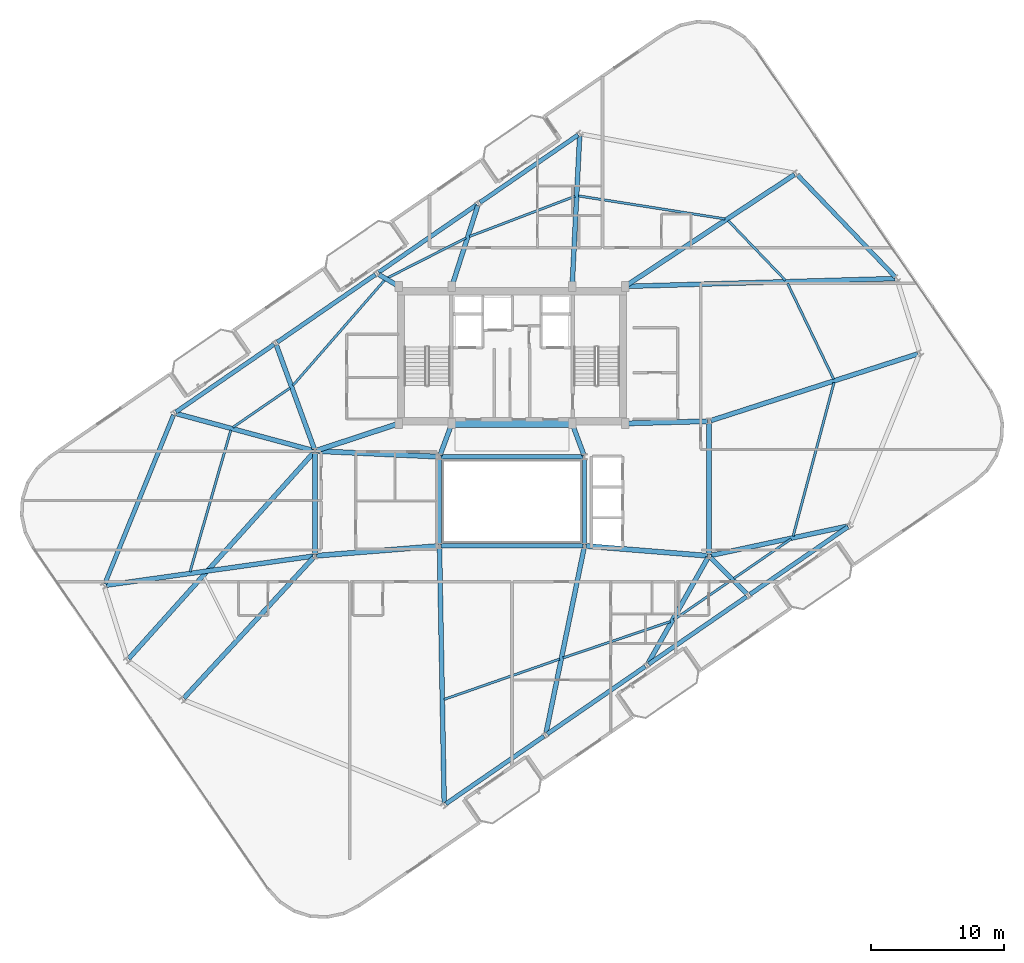
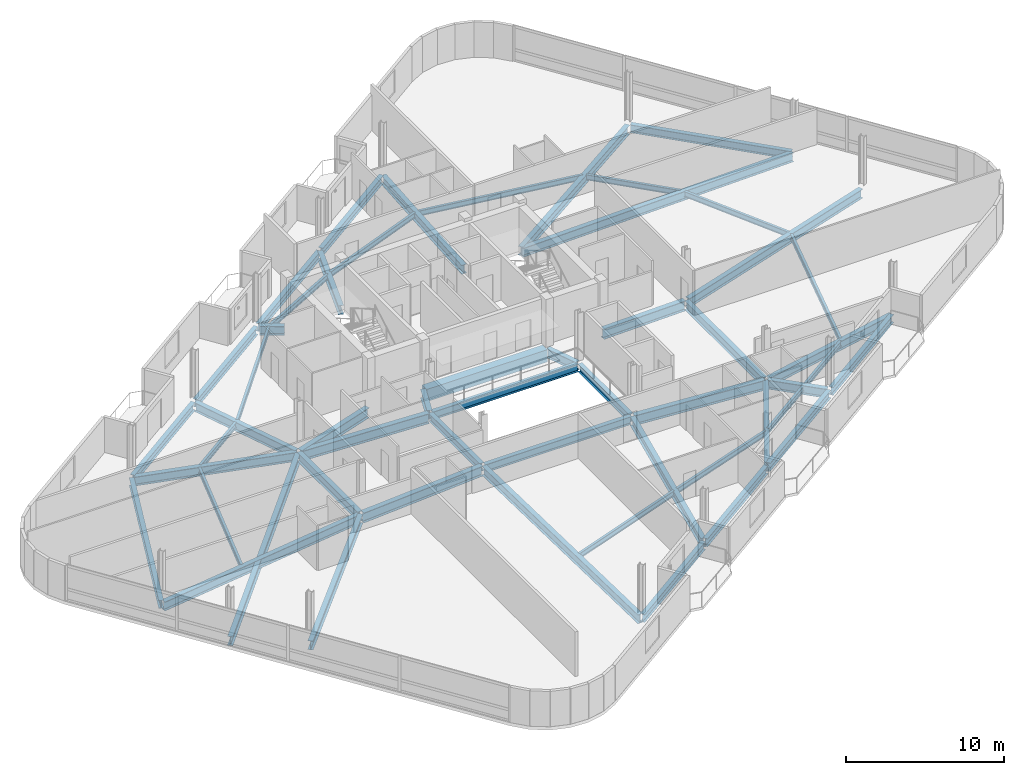
# One storey, part 7 of 21: 53 beams.
"""IFC4 building model written with IfcOpenShell, lengths in metres."""

from ifc_helpers import new_model, si_unit, direction, frame, origin, origin_2d, place, context, subcontext, project, spatial, rectangle, i_section, extrude, material, material_profile, profile_set, type_object, element, save


model = new_model("IFC4")

# Units and contexts
model_context = context("Model", 3, precision=1e-05, world=origin(), true_north=direction((0.0, 1.0)))
body_context = subcontext(model_context, "Body", "Model", "MODEL_VIEW")
ifc_project = project(units=[si_unit("LENGTHUNIT", "METRE"), si_unit("AREAUNIT", "SQUARE_METRE"), si_unit("VOLUMEUNIT", "CUBIC_METRE"), si_unit("PLANEANGLEUNIT", "RADIAN"), si_unit("MASSUNIT", "GRAM", prefix="KILO")], contexts=[model_context])

# Site, building, storey
site_placement = place(None, origin())
site = spatial("IfcSite", under=ifc_project, at=site_placement, CompositionType="ELEMENT")
building_placement = place(site_placement, origin())
building = spatial("IfcBuilding", under=site, at=building_placement, Name="Varnelok Gate Tower", CompositionType="ELEMENT")
storey_placement = place(building_placement, frame((0.0, 0.0, 269.300048828125)))
storey = spatial("IfcBuildingStorey", under=building, at=storey_placement, Name="L69", CompositionType="ELEMENT", Elevation=269.300048828125)

# Beams
ifc_material_1 = material(Name="Structural Steel ASTM A992 Grade 50", Category="steel")
ifc_material_profile_1 = material_profile(ifc_material_1, i_section(OverallWidth=0.180908203125, OverallDepth=0.4169921875, WebThickness=0.010986328125, FlangeThickness=0.018310546875, FilletRadius=0.013916015625, at=origin_2d()), Name="W16X57")
ifc_profile_set_1 = profile_set([ifc_material_profile_1], Name="Structural Steel ASTM A992 Grade 50")
beam_type_1 = type_object("IfcBeamType", Name="BM-JST-W16X57", PredefinedType="JOIST", material=ifc_profile_set_1)
beam_1_placement = place(storey_placement, frame((34.0947265625, 8.011962890625, -0.45849609375), z_axis=(0.944170416985, 0.329457468713, 0.0), x_axis=(-0.329457468713, 0.944170416985, 0.0)))
element("IfcBeam", 1, at=beam_1_placement, inside=storey, type_object=beam_type_1, Name="L69 Sector Floor Joist 1", PredefinedType="JOIST", context=body_context, shape_type="SweptSolid", body=[
    extrude(i_section(OverallWidth=0.180908203125, OverallDepth=0.4169921875, WebThickness=0.010986328125, FlangeThickness=0.018310546875, FilletRadius=0.013916015625, at=origin_2d()), origin(), (0.0, 0.0, 1.0), 9.1962890625),
])
beam_2_placement = place(storey_placement, frame((43.042236328125, 11.1328125, -0.45849609375), z_axis=(0.947127408854, 0.320857712075, 0.0), x_axis=(-0.320857712075, 0.947127408854, 0.0)))
element("IfcBeam", 2, at=beam_2_placement, inside=storey, type_object=beam_type_1, Name="L69 Sector Floor Joist 2", PredefinedType="JOIST", context=body_context, shape_type="SweptSolid", body=[
    extrude(i_section(OverallWidth=0.180908203125, OverallDepth=0.4169921875, WebThickness=0.010986328125, FlangeThickness=0.018310546875, FilletRadius=0.013916015625, at=origin_2d()), origin(), (0.0, 0.0, 1.0), 8.50390625),
])
for number, where, z_axis, x_axis, name in (
    (3, (51.34423828125, 13.985595703125, -0.45849609375), (0.823512453152, 0.567298192756, 0.0), (-0.567298192756, 0.823512453152, 0.0), "L69 Sector Floor Joist 3"),
    (4, (55.876708984375, 17.10791015625, -0.45849609375), (0.823549326959, 0.567244661557, 0.0), (-0.567244661557, 0.823549326959, 0.0), "L69 Sector Floor Joist 4"),
):
    element("IfcBeam", number, at=place(storey_placement, frame(where, z_axis=z_axis, x_axis=x_axis)), inside=storey, type_object=beam_type_1, Name=name, PredefinedType="JOIST", context=body_context, shape_type="SweptSolid", body=[
        extrude(i_section(OverallWidth=0.180908203125, OverallDepth=0.4169921875, WebThickness=0.010986328125, FlangeThickness=0.018310546875, FilletRadius=0.013916015625, at=origin_2d()), origin(), (0.0, 0.0, 1.0), 5.2236328125),
    ])
beam_3_placement = place(storey_placement, frame((60.329833984375, 20.285888671875, -0.45849609375), z_axis=(0.256998327168, 0.966411847937, 0.0), x_axis=(-0.966411847937, 0.256998327168, 0.0)))
element("IfcBeam", 5, at=beam_3_placement, inside=storey, type_object=beam_type_1, Name="L69 Sector Floor Joist 5", PredefinedType="JOIST", context=body_context, shape_type="SweptSolid", body=[
    extrude(i_section(OverallWidth=0.180908203125, OverallDepth=0.4169921875, WebThickness=0.010986328125, FlangeThickness=0.018310546875, FilletRadius=0.013916015625, at=origin_2d()), origin(), (0.0, 0.0, 1.0), 11.941162109375),
])
beam_4_placement = place(storey_placement, frame((63.3740234375, 32.08740234375, -0.45849609375), z_axis=(-0.434222069989, 0.900805858071, 0.0), x_axis=(-0.900805858071, -0.434222069989, 0.0)))
element("IfcBeam", 6, at=beam_4_placement, inside=storey, type_object=beam_type_1, Name="L69 Sector Floor Joist 6", PredefinedType="JOIST", context=body_context, shape_type="SweptSolid", body=[
    extrude(i_section(OverallWidth=0.180908203125, OverallDepth=0.4169921875, WebThickness=0.010986328125, FlangeThickness=0.018310546875, FilletRadius=0.013916015625, at=origin_2d()), origin(), (0.0, 0.0, 1.0), 7.981689453125),
])
beam_5_placement = place(storey_placement, frame((59.75048828125, 39.504638671875, -0.45849609375), z_axis=(-0.691823570561, 0.722066580875, 0.0), x_axis=(-0.722066580875, -0.691823570561, 0.0)))
element("IfcBeam", 7, at=beam_5_placement, inside=storey, type_object=beam_type_1, Name="L69 Sector Floor Joist 7", PredefinedType="JOIST", context=body_context, shape_type="SweptSolid", body=[
    extrude(i_section(OverallWidth=0.180908203125, OverallDepth=0.4169921875, WebThickness=0.010986328125, FlangeThickness=0.018310546875, FilletRadius=0.013916015625, at=origin_2d()), origin(), (0.0, 0.0, 1.0), 6.223876953125),
])
beam_6_placement = place(storey_placement, frame((55.209716796875, 44.12158203125, -0.45849609375), z_axis=(-0.987870886261, 0.155277532432, 0.0), x_axis=(-0.155277532432, -0.987870886261, 0.0)))
element("IfcBeam", 8, at=beam_6_placement, inside=storey, type_object=beam_type_1, Name="L69 Sector Floor Joist 8", PredefinedType="JOIST", context=body_context, shape_type="SweptSolid", body=[
    extrude(i_section(OverallWidth=0.180908203125, OverallDepth=0.4169921875, WebThickness=0.010986328125, FlangeThickness=0.018310546875, FilletRadius=0.013916015625, at=origin_2d()), origin(), (0.0, 0.0, 1.0), 11.14599609375),
])
beam_7_placement = place(storey_placement, frame((43.929931640625, 45.82421875, -0.45849609375), z_axis=(-0.934469964116, -0.356041972477, 0.0), x_axis=(0.356041972477, -0.934469964116, 0.0)))
element("IfcBeam", 9, at=beam_7_placement, inside=storey, type_object=beam_type_1, Name="L69 Sector Floor Joist 9", PredefinedType="JOIST", context=body_context, shape_type="SweptSolid", body=[
    extrude(i_section(OverallWidth=0.180908203125, OverallDepth=0.4169921875, WebThickness=0.010986328125, FlangeThickness=0.018310546875, FilletRadius=0.013916015625, at=origin_2d()), origin(), (0.0, 0.0, 1.0), 8.48828125),
])
beam_8_placement = place(storey_placement, frame((35.7421875, 42.688720703125, -0.45849609375), z_axis=(-0.891506208573, -0.453008476827, 0.0), x_axis=(0.453008476827, -0.891506208573, 0.0)))
element("IfcBeam", 10, at=beam_8_placement, inside=storey, type_object=beam_type_1, Name="L69 Sector Floor Joist 10", PredefinedType="JOIST", context=body_context, shape_type="SweptSolid", body=[
    extrude(i_section(OverallWidth=0.180908203125, OverallDepth=0.4169921875, WebThickness=0.010986328125, FlangeThickness=0.018310546875, FilletRadius=0.013916015625, at=origin_2d()), origin(), (0.0, 0.0, 1.0), 6.612060546875),
])
beam_9_placement = place(storey_placement, frame((29.630615234375, 39.5244140625, -0.45849609375), z_axis=(-0.656851082794, -0.754020327997, 0.0), x_axis=(0.754020327997, -0.656851082794, 0.0)))
element("IfcBeam", 11, at=beam_9_placement, inside=storey, type_object=beam_type_1, Name="L69 Sector Floor Joist 11", PredefinedType="JOIST", context=body_context, shape_type="SweptSolid", body=[
    extrude(i_section(OverallWidth=0.180908203125, OverallDepth=0.4169921875, WebThickness=0.010986328125, FlangeThickness=0.018310546875, FilletRadius=0.013916015625, at=origin_2d()), origin(), (0.0, 0.0, 1.0), 10.5048828125),
])
beam_10_placement = place(storey_placement, frame((22.523193359375, 31.418701171875, -0.45849609375), z_axis=(-0.823527493642, -0.567276358767, 0.0), x_axis=(0.567276358767, -0.823527493642, 0.0)))
element("IfcBeam", 12, at=beam_10_placement, inside=storey, type_object=beam_type_1, Name="L69 Sector Floor Joist 12", PredefinedType="JOIST", context=body_context, shape_type="SweptSolid", body=[
    extrude(i_section(OverallWidth=0.180908203125, OverallDepth=0.4169921875, WebThickness=0.010986328125, FlangeThickness=0.018310546875, FilletRadius=0.013916015625, at=origin_2d()), origin(), (0.0, 0.0, 1.0), 5.223876953125),
])
beam_11_placement = place(storey_placement, frame((18.0673828125, 28.241455078125, -0.45849609375), z_axis=(-0.276806590867, -0.960925653343, 0.0), x_axis=(0.960925653343, -0.276806590867, 0.0)))
element("IfcBeam", 13, at=beam_11_placement, inside=storey, type_object=beam_type_1, Name="L69 Sector Floor Joist 13", PredefinedType="JOIST", context=body_context, shape_type="SweptSolid", body=[
    extrude(i_section(OverallWidth=0.180908203125, OverallDepth=0.4169921875, WebThickness=0.010986328125, FlangeThickness=0.018310546875, FilletRadius=0.013916015625, at=origin_2d()), origin(), (0.0, 0.0, 1.0), 11.067138671875),
])
ifc_material_2 = material(Name="Concrete C60/75", Category="concrete")
ifc_material_profile_2 = material_profile(ifc_material_2, rectangle(XDim=0.60009765625, YDim=0.949951171875, at=origin_2d()), Name="RC950X600")
ifc_profile_set_2 = profile_set([ifc_material_profile_2], Name="Concrete C60/75")
beam_type_2 = type_object("IfcBeamType", Name="BM-LNT-RC950", PredefinedType="LINTEL", material=ifc_profile_set_2)
beam_12_placement = place(storey_placement, frame((34.800048828125, 28.75, -0.72509765625), z_axis=(1.0, 0.0, 0.0), x_axis=(0.0, 1.0, 0.0)))
element("IfcBeam", 14, at=beam_12_placement, inside=storey, type_object=beam_type_2, Name="L69 Core-Atrium Spine Beam 7", PredefinedType="LINTEL", context=body_context, shape_type="SweptSolid", body=[
    extrude(rectangle(XDim=0.60009765625, YDim=0.949951171875, at=origin_2d()), origin(), (0.0, 0.0, 1.0), 8.800048828125),
])
ifc_material_profile_3 = material_profile(ifc_material_1, i_section(OverallWidth=0.35498046875, OverallDepth=0.696044921875, WebThickness=0.015380859375, FlangeThickness=0.02490234375, FilletRadius=0.02001953125, at=origin_2d()), Name="W27X146")
ifc_profile_set_3 = profile_set([ifc_material_profile_3], Name="Structural Steel ASTM A992 Grade 50")
beam_type_3 = type_object("IfcBeamType", Name="BM-PRI-W27X146", PredefinedType="BEAM", material=ifc_profile_set_3)
for number, where, z_axis, x_axis, name in (
    (15, (33.791748046875, 26.362548828125, -0.59814453125), (0.348719329408, 0.937227202602, 0.0), (-0.937227202602, 0.348719329408, 0.0), "L69 Core-Atrium Spine Beam 12"),
    (16, (44.608154296875, 26.362548828125, -0.59814453125), (-0.348719329408, 0.937227202602, 0.0), (-0.937227202602, -0.348719329408, 0.0), "L69 Core-Atrium Spine Beam 13"),
):
    element("IfcBeam", number, at=place(storey_placement, frame(where, z_axis=z_axis, x_axis=x_axis)), inside=storey, type_object=beam_type_3, Name=name, PredefinedType="BEAM", context=body_context, shape_type="SweptSolid", body=[
        extrude(i_section(OverallWidth=0.35498046875, OverallDepth=0.696044921875, WebThickness=0.015380859375, FlangeThickness=0.02490234375, FilletRadius=0.02001953125, at=origin_2d()), origin(), (0.0, 0.0, 1.0), 2.42724609375),
    ])
beam_13_placement = place(storey_placement, frame((24.39990234375, 18.919921875, -0.59814453125), z_axis=(0.0, 1.0, 0.0), x_axis=(-1.0, 0.0, 0.0)))
element("IfcBeam", 17, at=beam_13_placement, inside=storey, type_object=beam_type_3, Name="L69 Core-Atrium Spine Beam 16", PredefinedType="BEAM", context=body_context, shape_type="SweptSolid", body=[
    extrude(i_section(OverallWidth=0.35498046875, OverallDepth=0.696044921875, WebThickness=0.015380859375, FlangeThickness=0.02490234375, FilletRadius=0.02001953125, at=origin_2d()), origin(), (0.0, 0.0, 1.0), 7.64013671875),
])
beam_14_placement = place(storey_placement, frame((54.0, 18.919921875, -0.59814453125), z_axis=(0.0, 1.0, 0.0), x_axis=(-1.0, 0.0, 0.0)))
element("IfcBeam", 18, at=beam_14_placement, inside=storey, type_object=beam_type_3, Name="L69 Core-Atrium Spine Beam 20", PredefinedType="BEAM", context=body_context, shape_type="SweptSolid", body=[
    extrude(i_section(OverallWidth=0.35498046875, OverallDepth=0.696044921875, WebThickness=0.015380859375, FlangeThickness=0.02490234375, FilletRadius=0.02001953125, at=origin_2d()), origin(), (0.0, 0.0, 1.0), 9.880126953125),
])
beam_15_placement = place(storey_placement, frame((33.752685546875, 19.39990234375, -0.59814453125), z_axis=(0.018349623406, -0.999831631486, 0.0), x_axis=(0.999831631486, 0.018349623406, 0.0)))
element("IfcBeam", 19, at=beam_15_placement, inside=storey, type_object=beam_type_3, Name="L69 Radial Floor Girder 1", PredefinedType="BEAM", context=body_context, shape_type="SweptSolid", body=[
    extrude(i_section(OverallWidth=0.35498046875, OverallDepth=0.696044921875, WebThickness=0.015380859375, FlangeThickness=0.02490234375, FilletRadius=0.02001953125, at=origin_2d()), origin(), (0.0, 0.0, 1.0), 19.17236328125),
])
beam_16_placement = place(storey_placement, frame((44.619873046875, 19.403076171875, -0.59814453125), z_axis=(-0.201445575576, -0.979499709077, 0.0), x_axis=(0.979499709077, -0.201445575576, 0.0)))
element("IfcBeam", 20, at=beam_16_placement, inside=storey, type_object=beam_type_3, Name="L69 Radial Floor Girder 2", PredefinedType="BEAM", context=body_context, shape_type="SweptSolid", body=[
    extrude(i_section(OverallWidth=0.35498046875, OverallDepth=0.696044921875, WebThickness=0.015380859375, FlangeThickness=0.02490234375, FilletRadius=0.02001953125, at=origin_2d()), origin(), (0.0, 0.0, 1.0), 14.2197265625),
])
beam_17_placement = place(storey_placement, frame((53.926025390625, 18.66943359375, -0.59814453125), z_axis=(-0.49272782428, -0.870183481331, 0.0), x_axis=(0.870183481331, -0.49272782428, 0.0)))
element("IfcBeam", 21, at=beam_17_placement, inside=storey, type_object=beam_type_3, Name="L69 Radial Floor Girder 3", PredefinedType="BEAM", context=body_context, shape_type="SweptSolid", body=[
    extrude(i_section(OverallWidth=0.35498046875, OverallDepth=0.696044921875, WebThickness=0.015380859375, FlangeThickness=0.02490234375, FilletRadius=0.02001953125, at=origin_2d()), origin(), (0.0, 0.0, 1.0), 9.151611328125),
])
beam_18_placement = place(storey_placement, frame((54.105712890625, 18.693603515625, -0.59814453125), z_axis=(0.705068615511, -0.709139088911, 0.0), x_axis=(0.709139088911, 0.705068615511, 0.0)))
element("IfcBeam", 22, at=beam_18_placement, inside=storey, type_object=beam_type_3, Name="L69 Radial Floor Girder 4", PredefinedType="BEAM", context=body_context, shape_type="SweptSolid", body=[
    extrude(i_section(OverallWidth=0.35498046875, OverallDepth=0.696044921875, WebThickness=0.015380859375, FlangeThickness=0.02490234375, FilletRadius=0.02001953125, at=origin_2d()), origin(), (0.0, 0.0, 1.0), 3.898681640625),
])
beam_19_placement = place(storey_placement, frame((54.146728515625, 18.83154296875, -0.59814453125), z_axis=(0.977750075893, 0.209773184872, 0.0), x_axis=(-0.209773184872, 0.977750075893, 0.0)))
element("IfcBeam", 23, at=beam_19_placement, inside=storey, type_object=beam_type_3, Name="L69 Radial Floor Girder 5", PredefinedType="BEAM", context=body_context, shape_type="SweptSolid", body=[
    extrude(i_section(OverallWidth=0.35498046875, OverallDepth=0.696044921875, WebThickness=0.015380859375, FlangeThickness=0.02490234375, FilletRadius=0.02001953125, at=origin_2d()), origin(), (0.0, 0.0, 1.0), 10.518798828125),
])
beam_20_placement = place(storey_placement, frame((54.142822265625, 28.966064453125, -0.59814453125), z_axis=(0.95177048337, 0.306810930356, 0.0), x_axis=(-0.306810930356, 0.95177048337, 0.0)))
element("IfcBeam", 24, at=beam_20_placement, inside=storey, type_object=beam_type_3, Name="L69 Radial Floor Girder 6", PredefinedType="BEAM", context=body_context, shape_type="SweptSolid", body=[
    extrude(i_section(OverallWidth=0.35498046875, OverallDepth=0.696044921875, WebThickness=0.015380859375, FlangeThickness=0.02490234375, FilletRadius=0.02001953125, at=origin_2d()), origin(), (0.0, 0.0, 1.0), 16.3603515625),
])
beam_21_placement = place(storey_placement, frame((47.849853515625, 39.054443359375, -0.59814453125), z_axis=(0.999576755953, 0.029091389778, 0.0), x_axis=(-0.029091389778, 0.999576755953, 0.0)))
element("IfcBeam", 25, at=beam_21_placement, inside=storey, type_object=beam_type_3, Name="L69 Radial Floor Girder 7", PredefinedType="BEAM", context=body_context, shape_type="SweptSolid", body=[
    extrude(i_section(OverallWidth=0.35498046875, OverallDepth=0.696044921875, WebThickness=0.015380859375, FlangeThickness=0.02490234375, FilletRadius=0.02001953125, at=origin_2d()), origin(), (0.0, 0.0, 1.0), 20.12451171875),
])
beam_22_placement = place(storey_placement, frame((47.8251953125, 39.1328125, -0.59814453125), z_axis=(0.834499250809, 0.551009074697, 0.0), x_axis=(-0.551009074697, 0.834499250809, 0.0)))
element("IfcBeam", 26, at=beam_22_placement, inside=storey, type_object=beam_type_3, Name="L69 Radial Floor Girder 8", PredefinedType="BEAM", context=body_context, shape_type="SweptSolid", body=[
    extrude(i_section(OverallWidth=0.35498046875, OverallDepth=0.696044921875, WebThickness=0.015380859375, FlangeThickness=0.02490234375, FilletRadius=0.02001953125, at=origin_2d()), origin(), (0.0, 0.0, 1.0), 15.102783203125),
])
beam_23_placement = place(storey_placement, frame((43.7275390625, 39.19970703125, -0.59814453125), z_axis=(0.049860312634, 0.998756201094, 0.0), x_axis=(-0.998756201094, 0.049860312634, 0.0)))
element("IfcBeam", 27, at=beam_23_placement, inside=storey, type_object=beam_type_3, Name="L69 Radial Floor Girder 9", PredefinedType="BEAM", context=body_context, shape_type="SweptSolid", body=[
    extrude(i_section(OverallWidth=0.35498046875, OverallDepth=0.696044921875, WebThickness=0.015380859375, FlangeThickness=0.02490234375, FilletRadius=0.02001953125, at=origin_2d()), origin(), (0.0, 0.0, 1.0), 11.18359375),
])
beam_24_placement = place(storey_placement, frame((34.725830078125, 39.19287109375, -0.59814453125), z_axis=(0.305315663047, 0.952251198948, 0.0), x_axis=(-0.952251198948, 0.305315663047, 0.0)))
element("IfcBeam", 28, at=beam_24_placement, inside=storey, type_object=beam_type_3, Name="L69 Radial Floor Girder 10", PredefinedType="BEAM", context=body_context, shape_type="SweptSolid", body=[
    extrude(i_section(OverallWidth=0.35498046875, OverallDepth=0.696044921875, WebThickness=0.015380859375, FlangeThickness=0.02490234375, FilletRadius=0.02001953125, at=origin_2d()), origin(), (0.0, 0.0, 1.0), 6.23388671875),
])
beam_25_placement = place(storey_placement, frame((30.571044921875, 39.12646484375, -0.59814453125), z_axis=(-0.859971198292, 0.510342569367, 0.0), x_axis=(-0.510342569367, -0.859971198292, 0.0)))
element("IfcBeam", 29, at=beam_25_placement, inside=storey, type_object=beam_type_3, Name="L69 Radial Floor Girder 11", PredefinedType="BEAM", context=body_context, shape_type="SweptSolid", body=[
    extrude(i_section(OverallWidth=0.35498046875, OverallDepth=0.696044921875, WebThickness=0.015380859375, FlangeThickness=0.02490234375, FilletRadius=0.02001953125, at=origin_2d()), origin(), (0.0, 0.0, 1.0), 1.6103515625),
])
beam_26_placement = place(storey_placement, frame((24.348388671875, 26.82080078125, -0.59814453125), z_axis=(-0.343337291508, 0.939212172121, 0.0), x_axis=(-0.939212172121, -0.343337291508, 0.0)))
element("IfcBeam", 30, at=beam_26_placement, inside=storey, type_object=beam_type_3, Name="L69 Radial Floor Girder 12", PredefinedType="BEAM", context=body_context, shape_type="SweptSolid", body=[
    extrude(i_section(OverallWidth=0.35498046875, OverallDepth=0.696044921875, WebThickness=0.015380859375, FlangeThickness=0.02490234375, FilletRadius=0.02001953125, at=origin_2d()), origin(), (0.0, 0.0, 1.0), 8.32177734375),
])
beam_27_placement = place(storey_placement, frame((24.255126953125, 26.718994140625, -0.59814453125), z_axis=(-0.965561980059, 0.260173139782, 0.0), x_axis=(-0.260173139782, -0.965561980059, 0.0)))
element("IfcBeam", 31, at=beam_27_placement, inside=storey, type_object=beam_type_3, Name="L69 Radial Floor Girder 13", PredefinedType="BEAM", context=body_context, shape_type="SweptSolid", body=[
    extrude(i_section(OverallWidth=0.35498046875, OverallDepth=0.696044921875, WebThickness=0.015380859375, FlangeThickness=0.02490234375, FilletRadius=0.02001953125, at=origin_2d()), origin(), (0.0, 0.0, 1.0), 10.6552734375),
])
beam_28_placement = place(storey_placement, frame((24.25146484375, 18.779052734375, -0.59814453125), z_axis=(-0.990242546669, -0.139354579277, 0.0), x_axis=(0.139354579277, -0.990242546669, 0.0)))
element("IfcBeam", 32, at=beam_28_placement, inside=storey, type_object=beam_type_3, Name="L69 Radial Floor Girder 14", PredefinedType="BEAM", context=body_context, shape_type="SweptSolid", body=[
    extrude(i_section(OverallWidth=0.35498046875, OverallDepth=0.696044921875, WebThickness=0.015380859375, FlangeThickness=0.02490234375, FilletRadius=0.02001953125, at=origin_2d()), origin(), (0.0, 0.0, 1.0), 15.713134765625),
])
beam_29_placement = place(storey_placement, frame((24.2998046875, 26.568359375, -0.59814453125), z_axis=(-0.668020095308, -0.744143233702, 0.0), x_axis=(0.744143233702, -0.668020095308, 0.0)))
element("IfcBeam", 33, at=beam_29_placement, inside=storey, type_object=beam_type_3, Name="L69 Radial Floor Girder 15", PredefinedType="BEAM", context=body_context, shape_type="SweptSolid", body=[
    extrude(i_section(OverallWidth=0.35498046875, OverallDepth=0.696044921875, WebThickness=0.015380859375, FlangeThickness=0.02490234375, FilletRadius=0.02001953125, at=origin_2d()), origin(), (0.0, 0.0, 1.0), 20.83056640625),
])
beam_30_placement = place(storey_placement, frame((24.29833984375, 18.689697265625, -0.59814453125), z_axis=(-0.677969926739, -0.73508963973, 0.0), x_axis=(0.73508963973, -0.677969926739, 0.0)))
element("IfcBeam", 34, at=beam_30_placement, inside=storey, type_object=beam_type_3, Name="L69 Radial Floor Girder 16", PredefinedType="BEAM", context=body_context, shape_type="SweptSolid", body=[
    extrude(i_section(OverallWidth=0.35498046875, OverallDepth=0.696044921875, WebThickness=0.015380859375, FlangeThickness=0.02490234375, FilletRadius=0.02001953125, at=origin_2d()), origin(), (0.0, 0.0, 1.0), 14.386962890625),
])
ifc_material_profile_4 = material_profile(ifc_material_1, i_section(OverallWidth=0.381103515625, OverallDepth=0.77294921875, WebThickness=0.0166015625, FlangeThickness=0.027099609375, FilletRadius=0.02197265625, at=origin_2d()), Name="W30X173")
ifc_profile_set_4 = profile_set([ifc_material_profile_4], Name="Structural Steel ASTM A992 Grade 50")
beam_type_4 = type_object("IfcBeamType", Name="BM-PRI-W30X173", PredefinedType="BEAM", material=ifc_profile_set_4)
beam_31_placement = place(storey_placement, frame((24.51953125, 18.8095703125, -0.636474609375), z_axis=(0.996799206292, 0.07994587128, 0.0), x_axis=(-0.07994587128, 0.996799206292, 0.0)))
element("IfcBeam", 35, at=beam_31_placement, inside=storey, type_object=beam_type_4, Name="L69 Core-Atrium Spine Beam 14", PredefinedType="BEAM", context=body_context, shape_type="SweptSolid", body=[
    extrude(i_section(OverallWidth=0.381103515625, OverallDepth=0.77294921875, WebThickness=0.0166015625, FlangeThickness=0.027099609375, FilletRadius=0.02197265625, at=origin_2d()), origin(), (0.0, 0.0, 1.0), 9.14013671875),
])
beam_32_placement = place(storey_placement, frame((24.52001953125, 26.674560546875, -0.636474609375), z_axis=(0.99894427814, -0.045938319209, 0.0), x_axis=(0.045938319209, 0.99894427814, 0.0)))
element("IfcBeam", 36, at=beam_32_placement, inside=storey, type_object=beam_type_4, Name="L69 Core-Atrium Spine Beam 15", PredefinedType="BEAM", context=body_context, shape_type="SweptSolid", body=[
    extrude(i_section(OverallWidth=0.381103515625, OverallDepth=0.77294921875, WebThickness=0.0166015625, FlangeThickness=0.027099609375, FilletRadius=0.02197265625, at=origin_2d()), origin(), (0.0, 0.0, 1.0), 9.11962890625),
])
beam_33_placement = place(storey_placement, frame((24.513916015625, 26.717529296875, -0.636474609375), z_axis=(0.950041943788, 0.312122259768, 0.0), x_axis=(-0.312122259768, 0.950041943788, 0.0)))
element("IfcBeam", 37, at=beam_33_placement, inside=storey, type_object=beam_type_4, Name="L69 Core-Atrium Spine Beam 17", PredefinedType="BEAM", context=body_context, shape_type="SweptSolid", body=[
    extrude(i_section(OverallWidth=0.381103515625, OverallDepth=0.77294921875, WebThickness=0.0166015625, FlangeThickness=0.027099609375, FilletRadius=0.02197265625, at=origin_2d()), origin(), (0.0, 0.0, 1.0), 6.391357421875),
])
beam_34_placement = place(storey_placement, frame((44.76953125, 19.540283203125, -0.636474609375), z_axis=(0.996799206292, -0.07994587128, 0.0), x_axis=(0.07994587128, 0.996799206292, 0.0)))
element("IfcBeam", 38, at=beam_34_placement, inside=storey, type_object=beam_type_4, Name="L69 Core-Atrium Spine Beam 18", PredefinedType="BEAM", context=body_context, shape_type="SweptSolid", body=[
    extrude(i_section(OverallWidth=0.381103515625, OverallDepth=0.77294921875, WebThickness=0.0166015625, FlangeThickness=0.027099609375, FilletRadius=0.02197265625, at=origin_2d()), origin(), (0.0, 0.0, 1.0), 9.14013671875),
])
beam_35_placement = place(storey_placement, frame((47.820068359375, 28.753173828125, -0.636474609375), z_axis=(0.999635880609, 0.026983443053, 0.0), x_axis=(-0.026983443053, 0.999635880609, 0.0)))
element("IfcBeam", 39, at=beam_35_placement, inside=storey, type_object=beam_type_4, Name="L69 Core-Atrium Spine Beam 19", PredefinedType="BEAM", context=body_context, shape_type="SweptSolid", body=[
    extrude(i_section(OverallWidth=0.381103515625, OverallDepth=0.77294921875, WebThickness=0.0166015625, FlangeThickness=0.027099609375, FilletRadius=0.02197265625, at=origin_2d()), origin(), (0.0, 0.0, 1.0), 6.06201171875),
])
ifc_material_profile_5 = material_profile(ifc_material_1, i_section(OverallWidth=0.323974609375, OverallDepth=0.611083984375, WebThickness=0.0126953125, FlangeThickness=0.01904296875, FilletRadius=0.01806640625, at=origin_2d()), Name="W24X104")
ifc_profile_set_5 = profile_set([ifc_material_profile_5], Name="Structural Steel ASTM A992 Grade 50")
beam_type_5 = type_object("IfcBeamType", Name="BM-SPN-W24X104", PredefinedType="SPANDREL", material=ifc_profile_set_5)
for number, where, z_axis, x_axis, name in (
    (40, (33.8701171875, 19.550048828125, -0.5556640625), (1.0, 0.0, 0.0), (0.0, 1.0, 0.0), "L69 Core-Atrium Spine Beam 8"),
    (41, (33.8701171875, 26.25, -0.5556640625), (1.0, 0.0, 0.0), (0.0, 1.0, 0.0), "L69 Core-Atrium Spine Beam 9"),
):
    element("IfcBeam", number, at=place(storey_placement, frame(where, z_axis=z_axis, x_axis=x_axis)), inside=storey, type_object=beam_type_5, Name=name, PredefinedType="SPANDREL", context=body_context, shape_type="SweptSolid", body=[
        extrude(i_section(OverallWidth=0.323974609375, OverallDepth=0.611083984375, WebThickness=0.0126953125, FlangeThickness=0.01904296875, FilletRadius=0.01806640625, at=origin_2d()), origin(), (0.0, 0.0, 1.0), 10.659912109375),
    ])
for number, where, z_axis, x_axis, name in (
    (42, (33.75, 19.669921875, -0.5556640625), (0.0, 1.0, 0.0), (-1.0, 0.0, 0.0), "L69 Core-Atrium Spine Beam 10"),
    (43, (44.64990234375, 19.669921875, -0.5556640625), (0.0, 1.0, 0.0), (-1.0, 0.0, 0.0), "L69 Core-Atrium Spine Beam 11"),
):
    element("IfcBeam", number, at=place(storey_placement, frame(where, z_axis=z_axis, x_axis=x_axis)), inside=storey, type_object=beam_type_5, Name=name, PredefinedType="SPANDREL", context=body_context, shape_type="SweptSolid", body=[
        extrude(i_section(OverallWidth=0.323974609375, OverallDepth=0.611083984375, WebThickness=0.0126953125, FlangeThickness=0.01904296875, FilletRadius=0.01806640625, at=origin_2d()), origin(), (0.0, 0.0, 1.0), 6.4599609375),
    ])
for number, where, z_axis, x_axis, name in (
    (44, (34.23095703125, 0.166015625, -0.5556640625), (0.823540167677, 0.567257959153, 0.0), (-0.567257959153, 0.823540167677, 0.0), "L69 Perimeter Spandrel Beam 1"),
    (45, (41.8486328125, 5.4130859375, -0.5556640625), (0.823540167677, 0.567257959153, 0.0), (-0.567257959153, 0.823540167677, 0.0), "L69 Perimeter Spandrel Beam 2"),
    (46, (49.46630859375, 10.660400390625, -0.5556640625), (0.823540167677, 0.567257959153, 0.0), (-0.567257959153, 0.823540167677, 0.0), "L69 Perimeter Spandrel Beam 3"),
    (47, (57.083984375, 15.90771484375, -0.5556640625), (0.823540167677, 0.567257959153, 0.0), (-0.567257959153, 0.823540167677, 0.0), "L69 Perimeter Spandrel Beam 4"),
):
    element("IfcBeam", number, at=place(storey_placement, frame(where, z_axis=z_axis, x_axis=x_axis)), inside=storey, type_object=beam_type_5, Name=name, PredefinedType="SPANDREL", context=body_context, shape_type="SweptSolid", body=[
        extrude(i_section(OverallWidth=0.323974609375, OverallDepth=0.611083984375, WebThickness=0.0126953125, FlangeThickness=0.01904296875, FilletRadius=0.01806640625, at=origin_2d()), origin(), (0.0, 0.0, 1.0), 8.949951171875),
    ])
beam_36_placement = place(storey_placement, frame((68.01171875, 39.75244140625, -0.5556640625), z_axis=(-0.691775667186, 0.722112474819, 0.0), x_axis=(-0.722112474819, -0.691775667186, 0.0)))
element("IfcBeam", 48, at=beam_36_placement, inside=storey, type_object=beam_type_5, Name="L69 Perimeter Spandrel Beam 7", PredefinedType="SPANDREL", context=body_context, shape_type="SweptSolid", body=[
    extrude(i_section(OverallWidth=0.323974609375, OverallDepth=0.611083984375, WebThickness=0.0126953125, FlangeThickness=0.01904296875, FilletRadius=0.01806640625, at=origin_2d()), origin(), (0.0, 0.0, 1.0), 10.630859375),
])
for number, where, z_axis, x_axis, name in (
    (49, (44.169189453125, 50.43408203125, -0.5556640625), (-0.823548945124, -0.567245215921, 0.0), (0.567245215921, -0.823548945124, 0.0), "L69 Perimeter Spandrel Beam 9"),
    (50, (36.551513671875, 45.18701171875, -0.5556640625), (-0.823536202099, -0.567263716301, 0.0), (0.567263716301, -0.823536202099, 0.0), "L69 Perimeter Spandrel Beam 10"),
):
    element("IfcBeam", number, at=place(storey_placement, frame(where, z_axis=z_axis, x_axis=x_axis)), inside=storey, type_object=beam_type_5, Name=name, PredefinedType="SPANDREL", context=body_context, shape_type="SweptSolid", body=[
        extrude(i_section(OverallWidth=0.323974609375, OverallDepth=0.611083984375, WebThickness=0.0126953125, FlangeThickness=0.01904296875, FilletRadius=0.01806640625, at=origin_2d()), origin(), (0.0, 0.0, 1.0), 8.9501953125),
    ])
beam_37_placement = place(storey_placement, frame((28.93359375, 39.939697265625, -0.5556640625), z_axis=(-0.823527424215, -0.567276459555, 0.0), x_axis=(0.567276459555, -0.823527424215, 0.0)))
element("IfcBeam", 51, at=beam_37_placement, inside=storey, type_object=beam_type_5, Name="L69 Perimeter Spandrel Beam 11", PredefinedType="SPANDREL", context=body_context, shape_type="SweptSolid", body=[
    extrude(i_section(OverallWidth=0.323974609375, OverallDepth=0.611083984375, WebThickness=0.0126953125, FlangeThickness=0.01904296875, FilletRadius=0.01806640625, at=origin_2d()), origin(), (0.0, 0.0, 1.0), 8.949951171875),
])
beam_38_placement = place(storey_placement, frame((21.316162109375, 34.6923828125, -0.5556640625), z_axis=(-0.823548945124, -0.567245215921, 0.0), x_axis=(0.567245215921, -0.823548945124, 0.0)))
element("IfcBeam", 52, at=beam_38_placement, inside=storey, type_object=beam_type_5, Name="L69 Perimeter Spandrel Beam 12", PredefinedType="SPANDREL", context=body_context, shape_type="SweptSolid", body=[
    extrude(i_section(OverallWidth=0.323974609375, OverallDepth=0.611083984375, WebThickness=0.0126953125, FlangeThickness=0.01904296875, FilletRadius=0.01806640625, at=origin_2d()), origin(), (0.0, 0.0, 1.0), 8.9501953125),
])
beam_39_placement = place(storey_placement, frame((13.765380859375, 29.391357421875, -0.5556640625), z_axis=(-0.377174006677, -0.926142412746, 0.0), x_axis=(0.926142412746, -0.377174006677, 0.0)))
element("IfcBeam", 53, at=beam_39_placement, inside=storey, type_object=beam_type_5, Name="L69 Perimeter Spandrel Beam 13", PredefinedType="SPANDREL", context=body_context, shape_type="SweptSolid", body=[
    extrude(i_section(OverallWidth=0.323974609375, OverallDepth=0.611083984375, WebThickness=0.0126953125, FlangeThickness=0.01904296875, FilletRadius=0.01806640625, at=origin_2d()), origin(), (0.0, 0.0, 1.0), 13.6953125),
])

save(model, "model.ifc")
